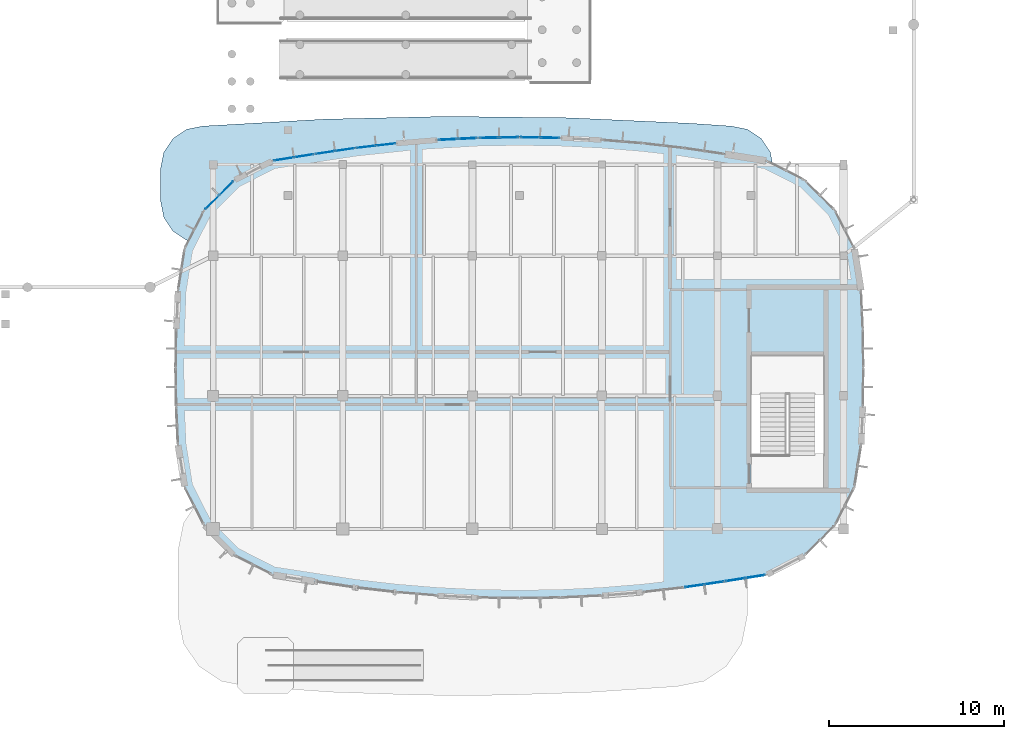
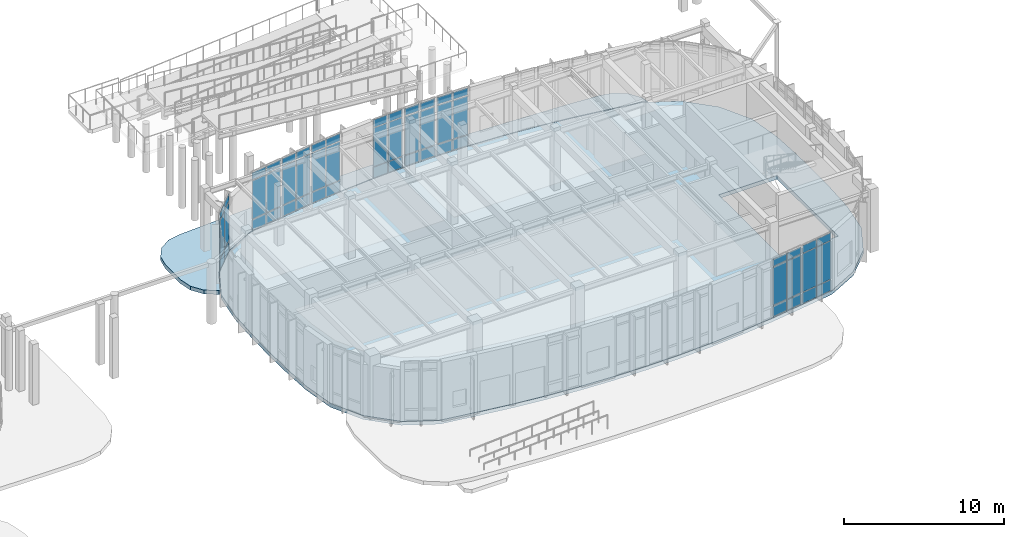
# One storey, part 71 of 120: 54 plates, 2 slabs, 9 elements without a shape of their own.
"""IFC4 building model written with IfcOpenShell, lengths in metres."""

from ifc_helpers import new_model, si_unit, direction, frame, origin, origin_2d, place, context, subcontext, project, spatial, polyline, rectangle, outline, extrude, material, layer, layer_set, type_object, element, aggregate, save


model = new_model("IFC4")

# Units and contexts
model_context = context("Model", 3, precision=1e-05, world=origin(), true_north=direction((0.0, 1.0)))
body_context = subcontext(model_context, "Body", "Model", "MODEL_VIEW")
ifc_project = project(units=[si_unit("LENGTHUNIT", "METRE"), si_unit("AREAUNIT", "SQUARE_METRE"), si_unit("VOLUMEUNIT", "CUBIC_METRE"), si_unit("PLANEANGLEUNIT", "RADIAN"), si_unit("MASSUNIT", "GRAM", prefix="KILO")], contexts=[model_context])

# Site, building, storey
site_placement = place(None, origin())
site = spatial("IfcSite", under=ifc_project, at=site_placement, CompositionType="ELEMENT")
building_placement = place(site_placement, origin())
building = spatial("IfcBuilding", under=site, at=building_placement, Name="Corveleigh Park Community Centre", CompositionType="ELEMENT")
storey_placement = place(building_placement, origin())
storey = spatial("IfcBuildingStorey", under=building, at=storey_placement, Name="L00", CompositionType="ELEMENT", Elevation=0.0)

# Curtain wall, plates
ifc_material_1 = material(Name="Anodised aluminium 6063-T6", Category="aluminium")
curtain_wall_type = type_object("IfcCurtainWallType", Name="CW-SYS-V3-L00", PredefinedType="NOTDEFINED", material=ifc_material_1)
curtain_wall_1_placement = place(storey_placement, origin())
curtain_wall_1 = element("IfcCurtainWall", 1, at=curtain_wall_1_placement, inside=storey, type_object=curtain_wall_type, Name="V3 L00 Curtain Wall 97", PredefinedType="NOTDEFINED")
ifc_material_2 = material(Name="Low-E double glazing", Category="glass")
ifc_layer_1 = layer(ifc_material_2, 0.02392578125, Name="Low-E double glazing", Category="glass")
ifc_layer_set_1 = layer_set([ifc_layer_1], Name="Low-E double glazing")
plate_type_1 = type_object("IfcPlateType", Name="CWP-GLZ-24", PredefinedType="CURTAIN_PANEL", material=ifc_layer_set_1)
plate_1_placement = place(storey_placement, frame((80.728271484375, 33.014404296875, 0.06494140625), z_axis=(0.0, 0.0, 1.0), x_axis=(0.993425824915, 0.114477641449, 0.0)))
plate_1 = element("IfcPlate", 2, at=plate_1_placement, type_object=plate_type_1, Name="CW05 panel 1.1", PredefinedType="CURTAIN_PANEL", context=body_context, shape_type="SweptSolid", body=[
    extrude(rectangle(XDim=1.076171875, YDim=0.02392578125, at=origin_2d()), origin(), (0.0, 0.0, 1.0), 0.802490234375),
])
plate_2_placement = place(storey_placement, frame((80.728271484375, 33.014404296875, 0.9326171875), z_axis=(0.0, 0.0, 1.0), x_axis=(0.993425824915, 0.114477641449, 0.0)))
plate_2 = element("IfcPlate", 3, at=plate_2_placement, type_object=plate_type_1, Name="CW05 panel 1.2", PredefinedType="CURTAIN_PANEL", context=body_context, shape_type="SweptSolid", body=[
    extrude(rectangle(XDim=1.076171875, YDim=0.02392578125, at=origin_2d()), origin(), (0.0, 0.0, 1.0), 2.922119140625),
])
plate_3_placement = place(storey_placement, frame((80.728271484375, 33.014404296875, 3.91943359375), z_axis=(0.0, 0.0, 1.0), x_axis=(0.993425824915, 0.114477641449, 0.0)))
plate_3 = element("IfcPlate", 4, at=plate_3_placement, type_object=plate_type_1, Name="CW05 panel 1.3", PredefinedType="CURTAIN_PANEL", context=body_context, shape_type="SweptSolid", body=[
    extrude(rectangle(XDim=1.076171875, YDim=0.02392578125, at=origin_2d()), origin(), (0.0, 0.0, 1.0), 0.552490234375),
])
plate_4_placement = place(storey_placement, frame((81.85693359375, 33.14453125, 0.06494140625), z_axis=(0.0, 0.0, 1.0), x_axis=(0.993425824915, 0.114477641449, 0.0)))
plate_4 = element("IfcPlate", 5, at=plate_4_placement, type_object=plate_type_1, Name="CW05 panel 2.1", PredefinedType="CURTAIN_PANEL", context=body_context, shape_type="SweptSolid", body=[
    extrude(rectangle(XDim=1.076171875, YDim=0.02392578125, at=origin_2d()), origin(), (0.0, 0.0, 1.0), 0.802490234375),
])
plate_5_placement = place(storey_placement, frame((81.85693359375, 33.14453125, 0.9326171875), z_axis=(0.0, 0.0, 1.0), x_axis=(0.993425824915, 0.114477641449, 0.0)))
plate_5 = element("IfcPlate", 6, at=plate_5_placement, type_object=plate_type_1, Name="CW05 panel 2.2", PredefinedType="CURTAIN_PANEL", context=body_context, shape_type="SweptSolid", body=[
    extrude(rectangle(XDim=1.076171875, YDim=0.02392578125, at=origin_2d()), origin(), (0.0, 0.0, 1.0), 2.922119140625),
])
plate_6_placement = place(storey_placement, frame((81.85693359375, 33.14453125, 3.91943359375), z_axis=(0.0, 0.0, 1.0), x_axis=(0.993425824915, 0.114477641449, 0.0)))
plate_6 = element("IfcPlate", 7, at=plate_6_placement, type_object=plate_type_1, Name="CW05 panel 2.3", PredefinedType="CURTAIN_PANEL", context=body_context, shape_type="SweptSolid", body=[
    extrude(rectangle(XDim=1.076171875, YDim=0.02392578125, at=origin_2d()), origin(), (0.0, 0.0, 1.0), 0.552490234375),
])
aggregate(curtain_wall_1, [plate_1, plate_2, plate_3, plate_4, plate_5, plate_6])

curtain_wall_2_placement = place(storey_placement, origin())
curtain_wall_2 = element("IfcCurtainWall", 8, at=curtain_wall_2_placement, inside=storey, type_object=curtain_wall_type, Name="V3 L00 Curtain Wall 98", PredefinedType="NOTDEFINED")
plate_7_placement = place(storey_placement, frame((78.400390625, 32.689208984375, 0.070068359375), z_axis=(0.0, 0.0, 1.0), x_axis=(0.989145884579, 0.146936785797, 0.0)))
plate_7 = element("IfcPlate", 9, at=plate_7_placement, type_object=plate_type_1, Name="CW05 panel 1.1", PredefinedType="CURTAIN_PANEL", context=body_context, shape_type="SweptSolid", body=[
    extrude(rectangle(XDim=1.069580078125, YDim=0.02392578125, at=origin_2d()), origin(), (0.0, 0.0, 1.0), 0.794921875),
])
plate_8_placement = place(storey_placement, frame((78.400390625, 32.689208984375, 0.93505859375), z_axis=(0.0, 0.0, 1.0), x_axis=(0.989145884579, 0.146936785797, 0.0)))
plate_8 = element("IfcPlate", 10, at=plate_8_placement, type_object=plate_type_1, Name="CW05 panel 1.2", PredefinedType="CURTAIN_PANEL", context=body_context, shape_type="SweptSolid", body=[
    extrude(rectangle(XDim=1.069580078125, YDim=0.02392578125, at=origin_2d()), origin(), (0.0, 0.0, 1.0), 2.9169921875),
])
plate_9_placement = place(storey_placement, frame((78.400390625, 32.689208984375, 3.922119140625), z_axis=(0.0, 0.0, 1.0), x_axis=(0.989145884579, 0.146936785797, 0.0)))
plate_9 = element("IfcPlate", 11, at=plate_9_placement, type_object=plate_type_1, Name="CW05 panel 1.3", PredefinedType="CURTAIN_PANEL", context=body_context, shape_type="SweptSolid", body=[
    extrude(rectangle(XDim=1.069580078125, YDim=0.02392578125, at=origin_2d()), origin(), (0.0, 0.0, 1.0), 0.544921875),
])
plate_10_placement = place(storey_placement, frame((79.522705078125, 32.85595703125, 0.070068359375), z_axis=(0.0, 0.0, 1.0), x_axis=(0.989145884579, 0.146936785797, 0.0)))
plate_10 = element("IfcPlate", 12, at=plate_10_placement, type_object=plate_type_1, Name="CW05 panel 2.1", PredefinedType="CURTAIN_PANEL", context=body_context, shape_type="SweptSolid", body=[
    extrude(rectangle(XDim=1.069580078125, YDim=0.02392578125, at=origin_2d()), origin(), (0.0, 0.0, 1.0), 0.794921875),
])
plate_11_placement = place(storey_placement, frame((79.522705078125, 32.85595703125, 0.93505859375), z_axis=(0.0, 0.0, 1.0), x_axis=(0.989145884579, 0.146936785797, 0.0)))
plate_11 = element("IfcPlate", 13, at=plate_11_placement, type_object=plate_type_1, Name="CW05 panel 2.2", PredefinedType="CURTAIN_PANEL", context=body_context, shape_type="SweptSolid", body=[
    extrude(rectangle(XDim=1.069580078125, YDim=0.02392578125, at=origin_2d()), origin(), (0.0, 0.0, 1.0), 2.9169921875),
])
plate_12_placement = place(storey_placement, frame((79.522705078125, 32.85595703125, 3.922119140625), z_axis=(0.0, 0.0, 1.0), x_axis=(0.989145884579, 0.146936785797, 0.0)))
plate_12 = element("IfcPlate", 14, at=plate_12_placement, type_object=plate_type_1, Name="CW05 panel 2.3", PredefinedType="CURTAIN_PANEL", context=body_context, shape_type="SweptSolid", body=[
    extrude(rectangle(XDim=1.069580078125, YDim=0.02392578125, at=origin_2d()), origin(), (0.0, 0.0, 1.0), 0.544921875),
])
aggregate(curtain_wall_2, [plate_7, plate_8, plate_9, plate_10, plate_11, plate_12])

curtain_wall_3_placement = place(storey_placement, origin())
curtain_wall_3 = element("IfcCurtainWall", 15, at=curtain_wall_3_placement, inside=storey, type_object=curtain_wall_type, Name="V3 L00 Curtain Wall 99", PredefinedType="NOTDEFINED")
ifc_layer_2 = layer(ifc_material_2, 0.028076171875, Name="Low-E double glazing", Category="glass")
ifc_layer_set_2 = layer_set([ifc_layer_2], Name="Low-E double glazing")
plate_type_2 = type_object("IfcPlateType", Name="CWP-GLZ-28", PredefinedType="CURTAIN_PANEL", material=ifc_layer_set_2)
plate_13_placement = place(storey_placement, frame((76.03662109375, 32.320556640625, 0.074951171875), z_axis=(0.0, 0.0, 1.0), x_axis=(0.98766117361, 0.156605894344, 0.0)))
plate_13 = element("IfcPlate", 16, at=plate_13_placement, type_object=plate_type_2, Name="CW05 panel 1.1", PredefinedType="CURTAIN_PANEL", context=body_context, shape_type="SweptSolid", body=[
    extrude(rectangle(XDim=1.09228515625, YDim=0.028076171875, at=origin_2d()), origin(), (0.0, 0.0, 1.0), 0.78759765625),
])
plate_14_placement = place(storey_placement, frame((76.03662109375, 32.320556640625, 0.9375), z_axis=(0.0, 0.0, 1.0), x_axis=(0.98766117361, 0.156605894344, 0.0)))
plate_14 = element("IfcPlate", 17, at=plate_14_placement, type_object=plate_type_2, Name="CW05 panel 1.2", PredefinedType="CURTAIN_PANEL", context=body_context, shape_type="SweptSolid", body=[
    extrude(rectangle(XDim=1.09228515625, YDim=0.028076171875, at=origin_2d()), origin(), (0.0, 0.0, 1.0), 2.912109375),
])
plate_15_placement = place(storey_placement, frame((76.03662109375, 32.320556640625, 3.924560546875), z_axis=(0.0, 0.0, 1.0), x_axis=(0.98766117361, 0.156605894344, 0.0)))
plate_15 = element("IfcPlate", 18, at=plate_15_placement, type_object=plate_type_2, Name="CW05 panel 1.3", PredefinedType="CURTAIN_PANEL", context=body_context, shape_type="SweptSolid", body=[
    extrude(rectangle(XDim=1.09228515625, YDim=0.028076171875, at=origin_2d()), origin(), (0.0, 0.0, 1.0), 0.53759765625),
])
plate_16_placement = place(storey_placement, frame((77.1845703125, 32.50244140625, 0.074951171875), z_axis=(0.0, 0.0, 1.0), x_axis=(0.98766117361, 0.156605894344, 0.0)))
plate_16 = element("IfcPlate", 19, at=plate_16_placement, type_object=plate_type_2, Name="CW05 panel 2.1", PredefinedType="CURTAIN_PANEL", context=body_context, shape_type="SweptSolid", body=[
    extrude(rectangle(XDim=1.09228515625, YDim=0.028076171875, at=origin_2d()), origin(), (0.0, 0.0, 1.0), 0.78759765625),
])
plate_17_placement = place(storey_placement, frame((77.1845703125, 32.50244140625, 0.9375), z_axis=(0.0, 0.0, 1.0), x_axis=(0.98766117361, 0.156605894344, 0.0)))
plate_17 = element("IfcPlate", 20, at=plate_17_placement, type_object=plate_type_2, Name="CW05 panel 2.2", PredefinedType="CURTAIN_PANEL", context=body_context, shape_type="SweptSolid", body=[
    extrude(rectangle(XDim=1.09228515625, YDim=0.028076171875, at=origin_2d()), origin(), (0.0, 0.0, 1.0), 2.912109375),
])
plate_18_placement = place(storey_placement, frame((77.1845703125, 32.50244140625, 3.924560546875), z_axis=(0.0, 0.0, 1.0), x_axis=(0.98766117361, 0.156605894344, 0.0)))
plate_18 = element("IfcPlate", 21, at=plate_18_placement, type_object=plate_type_2, Name="CW05 panel 2.3", PredefinedType="CURTAIN_PANEL", context=body_context, shape_type="SweptSolid", body=[
    extrude(rectangle(XDim=1.09228515625, YDim=0.028076171875, at=origin_2d()), origin(), (0.0, 0.0, 1.0), 0.53759765625),
])
aggregate(curtain_wall_3, [plate_13, plate_14, plate_15, plate_16, plate_17, plate_18])

curtain_wall_4_placement = place(storey_placement, origin())
curtain_wall_4 = element("IfcCurtainWall", 22, at=curtain_wall_4_placement, inside=storey, type_object=curtain_wall_type, Name="V3 L00 Curtain Wall 100", PredefinedType="NOTDEFINED")
plate_19_placement = place(storey_placement, frame((71.947998046875, 29.843017578125, 0.080078125), z_axis=(0.0, 0.0, 1.0), x_axis=(0.707106781187, 0.707106781187, 0.0)))
plate_19 = element("IfcPlate", 23, at=plate_19_placement, type_object=plate_type_2, Name="CW05 panel 1.1", PredefinedType="CURTAIN_PANEL", context=body_context, shape_type="SweptSolid", body=[
    extrude(rectangle(XDim=1.069091796875, YDim=0.028076171875, at=origin_2d()), origin(), (0.0, 0.0, 1.0), 0.780029296875),
])
plate_20_placement = place(storey_placement, frame((71.947998046875, 29.843017578125, 0.93994140625), z_axis=(0.0, 0.0, 1.0), x_axis=(0.707106781187, 0.707106781187, 0.0)))
plate_20 = element("IfcPlate", 24, at=plate_20_placement, type_object=plate_type_2, Name="CW05 panel 1.2", PredefinedType="CURTAIN_PANEL", context=body_context, shape_type="SweptSolid", body=[
    extrude(rectangle(XDim=1.069091796875, YDim=0.028076171875, at=origin_2d()), origin(), (0.0, 0.0, 1.0), 2.906982421875),
])
plate_21_placement = place(storey_placement, frame((71.947998046875, 29.843017578125, 3.9267578125), z_axis=(0.0, 0.0, 1.0), x_axis=(0.707106781187, 0.707106781187, 0.0)))
plate_21 = element("IfcPlate", 25, at=plate_21_placement, type_object=plate_type_2, Name="CW05 panel 1.3", PredefinedType="CURTAIN_PANEL", context=body_context, shape_type="SweptSolid", body=[
    extrude(rectangle(XDim=1.069091796875, YDim=0.028076171875, at=origin_2d()), origin(), (0.0, 0.0, 1.0), 0.530029296875),
])
plate_22_placement = place(storey_placement, frame((72.757080078125, 30.652099609375, 0.080078125), z_axis=(0.0, 0.0, 1.0), x_axis=(0.707106781187, 0.707106781187, 0.0)))
plate_22 = element("IfcPlate", 26, at=plate_22_placement, type_object=plate_type_2, Name="CW05 panel 2.1", PredefinedType="CURTAIN_PANEL", context=body_context, shape_type="SweptSolid", body=[
    extrude(rectangle(XDim=1.069091796875, YDim=0.028076171875, at=origin_2d()), origin(), (0.0, 0.0, 1.0), 0.780029296875),
])
plate_23_placement = place(storey_placement, frame((72.757080078125, 30.652099609375, 0.93994140625), z_axis=(0.0, 0.0, 1.0), x_axis=(0.707106781187, 0.707106781187, 0.0)))
plate_23 = element("IfcPlate", 27, at=plate_23_placement, type_object=plate_type_2, Name="CW05 panel 2.2", PredefinedType="CURTAIN_PANEL", context=body_context, shape_type="SweptSolid", body=[
    extrude(rectangle(XDim=1.069091796875, YDim=0.028076171875, at=origin_2d()), origin(), (0.0, 0.0, 1.0), 2.906982421875),
])
plate_24_placement = place(storey_placement, frame((72.757080078125, 30.652099609375, 3.9267578125), z_axis=(0.0, 0.0, 1.0), x_axis=(0.707106781187, 0.707106781187, 0.0)))
plate_24 = element("IfcPlate", 28, at=plate_24_placement, type_object=plate_type_2, Name="CW05 panel 2.3", PredefinedType="CURTAIN_PANEL", context=body_context, shape_type="SweptSolid", body=[
    extrude(rectangle(XDim=1.069091796875, YDim=0.028076171875, at=origin_2d()), origin(), (0.0, 0.0, 1.0), 0.530029296875),
])
aggregate(curtain_wall_4, [plate_19, plate_20, plate_21, plate_22, plate_23, plate_24])

curtain_wall_5_placement = place(storey_placement, origin())
curtain_wall_5 = element("IfcCurtainWall", 29, at=curtain_wall_5_placement, inside=storey, type_object=curtain_wall_type, Name="V3 L00 Curtain Wall 80", PredefinedType="NOTDEFINED")
ifc_layer_3 = layer(ifc_material_2, 0.035888671875, Name="Low-E double glazing", Category="glass")
ifc_layer_set_3 = layer_set([ifc_layer_3], Name="Low-E double glazing")
plate_type_3 = type_object("IfcPlateType", Name="CWP-GLZ-36", PredefinedType="CURTAIN_PANEL", material=ifc_layer_set_3)
plate_25_placement = place(storey_placement, frame((100.599609375, 8.11083984375, 0.080078125), z_axis=(0.0, 0.0, 1.0), x_axis=(-0.989145884579, -0.146936785797, 0.0)))
plate_25 = element("IfcPlate", 30, at=plate_25_placement, type_object=plate_type_3, Name="CW05 panel 1.1", PredefinedType="CURTAIN_PANEL", context=body_context, shape_type="SweptSolid", body=[
    extrude(rectangle(XDim=1.069580078125, YDim=0.035888671875, at=origin_2d()), origin(), (0.0, 0.0, 1.0), 0.780029296875),
])
plate_26_placement = place(storey_placement, frame((100.599609375, 8.11083984375, 0.93994140625), z_axis=(0.0, 0.0, 1.0), x_axis=(-0.989145884579, -0.146936785797, 0.0)))
plate_26 = element("IfcPlate", 31, at=plate_26_placement, type_object=plate_type_3, Name="CW05 panel 1.2", PredefinedType="CURTAIN_PANEL", context=body_context, shape_type="SweptSolid", body=[
    extrude(rectangle(XDim=1.069580078125, YDim=0.035888671875, at=origin_2d()), origin(), (0.0, 0.0, 1.0), 2.882080078125),
])
plate_27_placement = place(storey_placement, frame((100.599609375, 8.11083984375, 3.90185546875), z_axis=(0.0, 0.0, 1.0), x_axis=(-0.989145884579, -0.146936785797, 0.0)))
plate_27 = element("IfcPlate", 32, at=plate_27_placement, type_object=plate_type_3, Name="CW05 panel 1.3", PredefinedType="CURTAIN_PANEL", context=body_context, shape_type="SweptSolid", body=[
    extrude(rectangle(XDim=1.069580078125, YDim=0.035888671875, at=origin_2d()), origin(), (0.0, 0.0, 1.0), 0.530029296875),
])
plate_28_placement = place(storey_placement, frame((99.477294921875, 7.944091796875, 0.080078125), z_axis=(0.0, 0.0, 1.0), x_axis=(-0.989145884579, -0.146936785797, 0.0)))
plate_28 = element("IfcPlate", 33, at=plate_28_placement, type_object=plate_type_3, Name="CW05 panel 2.1", PredefinedType="CURTAIN_PANEL", context=body_context, shape_type="SweptSolid", body=[
    extrude(rectangle(XDim=1.069580078125, YDim=0.035888671875, at=origin_2d()), origin(), (0.0, 0.0, 1.0), 0.780029296875),
])
plate_29_placement = place(storey_placement, frame((99.477294921875, 7.944091796875, 0.93994140625), z_axis=(0.0, 0.0, 1.0), x_axis=(-0.989145884579, -0.146936785797, 0.0)))
plate_29 = element("IfcPlate", 34, at=plate_29_placement, type_object=plate_type_3, Name="CW05 panel 2.2", PredefinedType="CURTAIN_PANEL", context=body_context, shape_type="SweptSolid", body=[
    extrude(rectangle(XDim=1.069580078125, YDim=0.035888671875, at=origin_2d()), origin(), (0.0, 0.0, 1.0), 2.882080078125),
])
plate_30_placement = place(storey_placement, frame((99.477294921875, 7.944091796875, 3.90185546875), z_axis=(0.0, 0.0, 1.0), x_axis=(-0.989145884579, -0.146936785797, 0.0)))
plate_30 = element("IfcPlate", 35, at=plate_30_placement, type_object=plate_type_3, Name="CW05 panel 2.3", PredefinedType="CURTAIN_PANEL", context=body_context, shape_type="SweptSolid", body=[
    extrude(rectangle(XDim=1.069580078125, YDim=0.035888671875, at=origin_2d()), origin(), (0.0, 0.0, 1.0), 0.530029296875),
])
aggregate(curtain_wall_5, [plate_25, plate_26, plate_27, plate_28, plate_29, plate_30])

curtain_wall_6_placement = place(storey_placement, origin())
curtain_wall_6 = element("IfcCurtainWall", 36, at=curtain_wall_6_placement, inside=storey, type_object=curtain_wall_type, Name="V3 L00 Curtain Wall 81", PredefinedType="NOTDEFINED")
ifc_layer_4 = layer(ifc_material_2, 0.0400390625, Name="Low-E double glazing", Category="glass")
ifc_layer_set_4 = layer_set([ifc_layer_4], Name="Low-E double glazing")
plate_type_4 = type_object("IfcPlateType", Name="CWP-GLZ-40", PredefinedType="CURTAIN_PANEL", material=ifc_layer_set_4)
plate_31_placement = place(storey_placement, frame((102.96337890625, 8.4794921875, 0.06005859375), z_axis=(0.0, 0.0, 1.0), x_axis=(-0.98766117361, -0.156605894344, 0.0)))
plate_31 = element("IfcPlate", 37, at=plate_31_placement, type_object=plate_type_4, Name="CW05 panel 1.1", PredefinedType="CURTAIN_PANEL", context=body_context, shape_type="SweptSolid", body=[
    extrude(rectangle(XDim=1.09228515625, YDim=0.0400390625, at=origin_2d()), origin(), (0.0, 0.0, 1.0), 0.81005859375),
])
plate_32_placement = place(storey_placement, frame((102.96337890625, 8.4794921875, 0.93017578125), z_axis=(0.0, 0.0, 1.0), x_axis=(-0.98766117361, -0.156605894344, 0.0)))
plate_32 = element("IfcPlate", 38, at=plate_32_placement, type_object=plate_type_4, Name="CW05 panel 1.2", PredefinedType="CURTAIN_PANEL", context=body_context, shape_type="SweptSolid", body=[
    extrude(rectangle(XDim=1.09228515625, YDim=0.0400390625, at=origin_2d()), origin(), (0.0, 0.0, 1.0), 2.902099609375),
])
plate_33_placement = place(storey_placement, frame((102.96337890625, 8.4794921875, 3.89208984375), z_axis=(0.0, 0.0, 1.0), x_axis=(-0.98766117361, -0.156605894344, 0.0)))
plate_33 = element("IfcPlate", 39, at=plate_33_placement, type_object=plate_type_4, Name="CW05 panel 1.3", PredefinedType="CURTAIN_PANEL", context=body_context, shape_type="SweptSolid", body=[
    extrude(rectangle(XDim=1.09228515625, YDim=0.0400390625, at=origin_2d()), origin(), (0.0, 0.0, 1.0), 0.56005859375),
])
plate_34_placement = place(storey_placement, frame((101.8154296875, 8.297607421875, 0.06005859375), z_axis=(0.0, 0.0, 1.0), x_axis=(-0.98766117361, -0.156605894344, 0.0)))
plate_34 = element("IfcPlate", 40, at=plate_34_placement, type_object=plate_type_4, Name="CW05 panel 2.1", PredefinedType="CURTAIN_PANEL", context=body_context, shape_type="SweptSolid", body=[
    extrude(rectangle(XDim=1.09228515625, YDim=0.0400390625, at=origin_2d()), origin(), (0.0, 0.0, 1.0), 0.81005859375),
])
plate_35_placement = place(storey_placement, frame((101.8154296875, 8.297607421875, 0.93017578125), z_axis=(0.0, 0.0, 1.0), x_axis=(-0.98766117361, -0.156605894344, 0.0)))
plate_35 = element("IfcPlate", 41, at=plate_35_placement, type_object=plate_type_4, Name="CW05 panel 2.2", PredefinedType="CURTAIN_PANEL", context=body_context, shape_type="SweptSolid", body=[
    extrude(rectangle(XDim=1.09228515625, YDim=0.0400390625, at=origin_2d()), origin(), (0.0, 0.0, 1.0), 2.902099609375),
])
plate_36_placement = place(storey_placement, frame((101.8154296875, 8.297607421875, 3.89208984375), z_axis=(0.0, 0.0, 1.0), x_axis=(-0.98766117361, -0.156605894344, 0.0)))
plate_36 = element("IfcPlate", 42, at=plate_36_placement, type_object=plate_type_4, Name="CW05 panel 2.3", PredefinedType="CURTAIN_PANEL", context=body_context, shape_type="SweptSolid", body=[
    extrude(rectangle(XDim=1.09228515625, YDim=0.0400390625, at=origin_2d()), origin(), (0.0, 0.0, 1.0), 0.56005859375),
])
aggregate(curtain_wall_6, [plate_31, plate_32, plate_33, plate_34, plate_35, plate_36])

curtain_wall_7_placement = place(storey_placement, origin())
curtain_wall_7 = element("IfcCurtainWall", 43, at=curtain_wall_7_placement, inside=storey, type_object=curtain_wall_type, Name="V3 L00 Curtain Wall 94", PredefinedType="NOTDEFINED")
plate_37_placement = place(storey_placement, frame((90.11083984375, 33.55029296875, 0.074951171875), z_axis=(0.0, 0.0, 1.0), x_axis=(0.999867262502, -0.016292862768, 0.0)))
plate_37 = element("IfcPlate", 44, at=plate_37_placement, type_object=plate_type_4, Name="CW05 panel 1.1", PredefinedType="CURTAIN_PANEL", context=body_context, shape_type="SweptSolid", body=[
    extrude(rectangle(XDim=1.0537109375, YDim=0.0400390625, at=origin_2d()), origin(), (0.0, 0.0, 1.0), 0.78759765625),
])
plate_38_placement = place(storey_placement, frame((90.11083984375, 33.55029296875, 0.9375), z_axis=(0.0, 0.0, 1.0), x_axis=(0.999867262502, -0.016292862768, 0.0)))
plate_38 = element("IfcPlate", 45, at=plate_38_placement, type_object=plate_type_4, Name="CW05 panel 1.2", PredefinedType="CURTAIN_PANEL", context=body_context, shape_type="SweptSolid", body=[
    extrude(rectangle(XDim=1.0537109375, YDim=0.0400390625, at=origin_2d()), origin(), (0.0, 0.0, 1.0), 2.912109375),
])
plate_39_placement = place(storey_placement, frame((90.11083984375, 33.55029296875, 3.924560546875), z_axis=(0.0, 0.0, 1.0), x_axis=(0.999867262502, -0.016292862768, 0.0)))
plate_39 = element("IfcPlate", 46, at=plate_39_placement, type_object=plate_type_4, Name="CW05 panel 1.3", PredefinedType="CURTAIN_PANEL", context=body_context, shape_type="SweptSolid", body=[
    extrude(rectangle(XDim=1.0537109375, YDim=0.0400390625, at=origin_2d()), origin(), (0.0, 0.0, 1.0), 0.53759765625),
])
plate_40_placement = place(storey_placement, frame((91.2392578125, 33.53173828125, 0.074951171875), z_axis=(0.0, 0.0, 1.0), x_axis=(0.999867262502, -0.016292862768, 0.0)))
plate_40 = element("IfcPlate", 47, at=plate_40_placement, type_object=plate_type_4, Name="CW05 panel 2.1", PredefinedType="CURTAIN_PANEL", context=body_context, shape_type="SweptSolid", body=[
    extrude(rectangle(XDim=1.0537109375, YDim=0.0400390625, at=origin_2d()), origin(), (0.0, 0.0, 1.0), 0.78759765625),
])
plate_41_placement = place(storey_placement, frame((91.2392578125, 33.53173828125, 0.9375), z_axis=(0.0, 0.0, 1.0), x_axis=(0.999867262502, -0.016292862768, 0.0)))
plate_41 = element("IfcPlate", 48, at=plate_41_placement, type_object=plate_type_4, Name="CW05 panel 2.2", PredefinedType="CURTAIN_PANEL", context=body_context, shape_type="SweptSolid", body=[
    extrude(rectangle(XDim=1.0537109375, YDim=0.0400390625, at=origin_2d()), origin(), (0.0, 0.0, 1.0), 2.912109375),
])
plate_42_placement = place(storey_placement, frame((91.2392578125, 33.53173828125, 3.924560546875), z_axis=(0.0, 0.0, 1.0), x_axis=(0.999867262502, -0.016292862768, 0.0)))
plate_42 = element("IfcPlate", 49, at=plate_42_placement, type_object=plate_type_4, Name="CW05 panel 2.3", PredefinedType="CURTAIN_PANEL", context=body_context, shape_type="SweptSolid", body=[
    extrude(rectangle(XDim=1.0537109375, YDim=0.0400390625, at=origin_2d()), origin(), (0.0, 0.0, 1.0), 0.53759765625),
])
aggregate(curtain_wall_7, [plate_37, plate_38, plate_39, plate_40, plate_41, plate_42])

curtain_wall_8_placement = place(storey_placement, origin())
curtain_wall_8 = element("IfcCurtainWall", 50, at=curtain_wall_8_placement, inside=storey, type_object=curtain_wall_type, Name="V3 L00 Curtain Wall 95", PredefinedType="NOTDEFINED")
ifc_layer_5 = layer(ifc_material_2, 0.0439453125, Name="Low-E double glazing", Category="glass")
ifc_layer_set_5 = layer_set([ifc_layer_5], Name="Low-E double glazing")
plate_type_5 = type_object("IfcPlateType", Name="CWP-GLZ-44", PredefinedType="CURTAIN_PANEL", material=ifc_layer_set_5)
plate_43_placement = place(storey_placement, frame((87.761962890625, 33.53173828125, 0.080078125), z_axis=(0.0, 0.0, 1.0), x_axis=(0.999867262502, 0.016292862768, 0.0)))
plate_43 = element("IfcPlate", 51, at=plate_43_placement, type_object=plate_type_5, Name="CW05 panel 1.1", PredefinedType="CURTAIN_PANEL", context=body_context, shape_type="SweptSolid", body=[
    extrude(rectangle(XDim=1.046142578125, YDim=0.0439453125, at=origin_2d()), origin(), (0.0, 0.0, 1.0), 0.780029296875),
])
plate_44_placement = place(storey_placement, frame((87.761962890625, 33.53173828125, 0.93994140625), z_axis=(0.0, 0.0, 1.0), x_axis=(0.999867262502, 0.016292862768, 0.0)))
plate_44 = element("IfcPlate", 52, at=plate_44_placement, type_object=plate_type_5, Name="CW05 panel 1.2", PredefinedType="CURTAIN_PANEL", context=body_context, shape_type="SweptSolid", body=[
    extrude(rectangle(XDim=1.046142578125, YDim=0.0439453125, at=origin_2d()), origin(), (0.0, 0.0, 1.0), 2.906982421875),
])
plate_45_placement = place(storey_placement, frame((87.761962890625, 33.53173828125, 3.9267578125), z_axis=(0.0, 0.0, 1.0), x_axis=(0.999867262502, 0.016292862768, 0.0)))
plate_45 = element("IfcPlate", 53, at=plate_45_placement, type_object=plate_type_5, Name="CW05 panel 1.3", PredefinedType="CURTAIN_PANEL", context=body_context, shape_type="SweptSolid", body=[
    extrude(rectangle(XDim=1.046142578125, YDim=0.0439453125, at=origin_2d()), origin(), (0.0, 0.0, 1.0), 0.530029296875),
])
plate_46_placement = place(storey_placement, frame((88.887939453125, 33.55029296875, 0.080078125), z_axis=(0.0, 0.0, 1.0), x_axis=(0.999867262502, 0.016292862768, 0.0)))
plate_46 = element("IfcPlate", 54, at=plate_46_placement, type_object=plate_type_5, Name="CW05 panel 2.1", PredefinedType="CURTAIN_PANEL", context=body_context, shape_type="SweptSolid", body=[
    extrude(rectangle(XDim=1.046142578125, YDim=0.0439453125, at=origin_2d()), origin(), (0.0, 0.0, 1.0), 0.780029296875),
])
plate_47_placement = place(storey_placement, frame((88.887939453125, 33.55029296875, 0.93994140625), z_axis=(0.0, 0.0, 1.0), x_axis=(0.999867262502, 0.016292862768, 0.0)))
plate_47 = element("IfcPlate", 55, at=plate_47_placement, type_object=plate_type_5, Name="CW05 panel 2.2", PredefinedType="CURTAIN_PANEL", context=body_context, shape_type="SweptSolid", body=[
    extrude(rectangle(XDim=1.046142578125, YDim=0.0439453125, at=origin_2d()), origin(), (0.0, 0.0, 1.0), 2.906982421875),
])
plate_48_placement = place(storey_placement, frame((88.887939453125, 33.55029296875, 3.9267578125), z_axis=(0.0, 0.0, 1.0), x_axis=(0.999867262502, 0.016292862768, 0.0)))
plate_48 = element("IfcPlate", 56, at=plate_48_placement, type_object=plate_type_5, Name="CW05 panel 2.3", PredefinedType="CURTAIN_PANEL", context=body_context, shape_type="SweptSolid", body=[
    extrude(rectangle(XDim=1.046142578125, YDim=0.0439453125, at=origin_2d()), origin(), (0.0, 0.0, 1.0), 0.530029296875),
])
aggregate(curtain_wall_8, [plate_43, plate_44, plate_45, plate_46, plate_47, plate_48])

curtain_wall_9_placement = place(storey_placement, origin())
curtain_wall_9 = element("IfcCurtainWall", 57, at=curtain_wall_9_placement, inside=storey, type_object=curtain_wall_type, Name="V3 L00 Curtain Wall 96", PredefinedType="NOTDEFINED")
plate_49_placement = place(storey_placement, frame((85.414794921875, 33.43603515625, 0.06005859375), z_axis=(0.0, 0.0, 1.0), x_axis=(0.998763005613, 0.049723823459, 0.0)))
plate_49 = element("IfcPlate", 58, at=plate_49_placement, type_object=plate_type_5, Name="CW05 panel 1.1", PredefinedType="CURTAIN_PANEL", context=body_context, shape_type="SweptSolid", body=[
    extrude(rectangle(XDim=1.0390625, YDim=0.0439453125, at=origin_2d()), origin(), (0.0, 0.0, 1.0), 0.81005859375),
])
plate_50_placement = place(storey_placement, frame((85.414794921875, 33.43603515625, 0.93017578125), z_axis=(0.0, 0.0, 1.0), x_axis=(0.998763005613, 0.049723823459, 0.0)))
plate_50 = element("IfcPlate", 59, at=plate_50_placement, type_object=plate_type_5, Name="CW05 panel 1.2", PredefinedType="CURTAIN_PANEL", context=body_context, shape_type="SweptSolid", body=[
    extrude(rectangle(XDim=1.0390625, YDim=0.0439453125, at=origin_2d()), origin(), (0.0, 0.0, 1.0), 2.927001953125),
])
plate_51_placement = place(storey_placement, frame((85.414794921875, 33.43603515625, 3.9169921875), z_axis=(0.0, 0.0, 1.0), x_axis=(0.998763005613, 0.049723823459, 0.0)))
plate_51 = element("IfcPlate", 60, at=plate_51_placement, type_object=plate_type_5, Name="CW05 panel 1.3", PredefinedType="CURTAIN_PANEL", context=body_context, shape_type="SweptSolid", body=[
    extrude(rectangle(XDim=1.0390625, YDim=0.0439453125, at=origin_2d()), origin(), (0.0, 0.0, 1.0), 0.56005859375),
])
plate_52_placement = place(storey_placement, frame((86.537353515625, 33.491943359375, 0.06005859375), z_axis=(0.0, 0.0, 1.0), x_axis=(0.998763005613, 0.049723823459, 0.0)))
plate_52 = element("IfcPlate", 61, at=plate_52_placement, type_object=plate_type_5, Name="CW05 panel 2.1", PredefinedType="CURTAIN_PANEL", context=body_context, shape_type="SweptSolid", body=[
    extrude(rectangle(XDim=1.0390625, YDim=0.0439453125, at=origin_2d()), origin(), (0.0, 0.0, 1.0), 0.81005859375),
])
plate_53_placement = place(storey_placement, frame((86.537353515625, 33.491943359375, 0.93017578125), z_axis=(0.0, 0.0, 1.0), x_axis=(0.998763005613, 0.049723823459, 0.0)))
plate_53 = element("IfcPlate", 62, at=plate_53_placement, type_object=plate_type_5, Name="CW05 panel 2.2", PredefinedType="CURTAIN_PANEL", context=body_context, shape_type="SweptSolid", body=[
    extrude(rectangle(XDim=1.0390625, YDim=0.0439453125, at=origin_2d()), origin(), (0.0, 0.0, 1.0), 2.927001953125),
])
plate_54_placement = place(storey_placement, frame((86.537353515625, 33.491943359375, 3.9169921875), z_axis=(0.0, 0.0, 1.0), x_axis=(0.998763005613, 0.049723823459, 0.0)))
plate_54 = element("IfcPlate", 63, at=plate_54_placement, type_object=plate_type_5, Name="CW05 panel 2.3", PredefinedType="CURTAIN_PANEL", context=body_context, shape_type="SweptSolid", body=[
    extrude(rectangle(XDim=1.0390625, YDim=0.0439453125, at=origin_2d()), origin(), (0.0, 0.0, 1.0), 0.56005859375),
])
aggregate(curtain_wall_9, [plate_49, plate_50, plate_51, plate_52, plate_53, plate_54])

# Slabs
ifc_material_3 = material(Name="Concrete C32/40", Category="concrete")
ifc_layer_6 = layer(ifc_material_3, 0.2900390625, Name="Concrete C32/40", Category="concrete")
ifc_layer_set_6 = layer_set([ifc_layer_6], Name="Concrete C32/40")
slab_type_1 = type_object("IfcSlabType", Name="SLB-APR-290", PredefinedType="FLOOR", material=ifc_layer_set_6)
slab_1_placement = place(storey_placement, frame((0.0, 0.0, -0.2900390625)))
element("IfcSlab", 64, at=slab_1_placement, inside=storey, type_object=slab_type_1, Name="Cafe Courtyard and Promenade Terrace", PredefinedType="FLOOR", context=body_context, shape_type="SweptSolid", body=[
    extrude(outline(polyline([(70.489013671875, 27.68408203125), (69.7060546875, 28.2060546875), (69.18408203125, 28.989013671875), (69.0, 29.912109375), (69.0, 31.7880859375), (69.18408203125, 32.7109375), (69.7060546875, 33.493896484375), (70.489013671875, 34.01611328125), (71.412109375, 34.199951171875), (78.3701171875, 34.596923828125), (85.337890625, 34.756103515625), (92.30810546875, 34.676025390625), (99.27001953125, 34.35888671875), (101.587890625, 34.199951171875), (102.510986328125, 34.01611328125), (103.2939453125, 33.493896484375), (103.81591796875, 32.7109375), (103.93994140625, 32.089111328125), (103.614990234375, 32.2529296875), (98.87890625, 32.97998046875), (96.54296875, 33.2490234375), (94.199951171875, 33.44091796875), (91.85107421875, 33.556884765625), (89.5, 33.594970703125), (87.14794921875, 33.556884765625), (84.800048828125, 33.44091796875), (82.45703125, 33.2490234375), (80.12109375, 32.97998046875), (75.382080078125, 32.251953125), (73.197998046875, 31.14111328125), (71.4619140625, 29.406005859375), (70.574951171875, 27.6669921875), (70.489013671875, 27.68408203125)])), origin(), (0.0, 0.0, 1.0), 0.2900390625),
])
ifc_layer_7 = layer(ifc_material_3, 0.294921875, Name="Concrete C32/40", Category="concrete")
ifc_layer_set_7 = layer_set([ifc_layer_7], Name="Concrete C32/40")
slab_type_2 = type_object("IfcSlabType", Name="SLB-GND-295", PredefinedType="FLOOR", material=ifc_layer_set_7)
slab_2_placement = place(storey_placement, frame((0.0, 0.0, -0.294921875)))
element("IfcSlab", 65, at=slab_2_placement, inside=storey, type_object=slab_type_2, Name="V3 L00 floor slab", PredefinedType="FLOOR", context=body_context, shape_type="SweptSolid", body=[
    extrude(outline(polyline([(73.215087890625, 9.68994140625), (71.489990234375, 11.4150390625), (70.382080078125, 13.590087890625), (70.0, 16.0), (69.89892578125, 18.198974609375), (69.865966796875, 20.39990234375), (69.89892578125, 22.60107421875), (70.0, 24.800048828125), (70.382080078125, 27.2099609375), (71.489990234375, 29.385009765625), (73.215087890625, 31.110107421875), (75.389892578125, 32.218017578125), (80.125, 32.945068359375), (82.4599609375, 33.214111328125), (84.802001953125, 33.406005859375), (87.14990234375, 33.52197265625), (89.5, 33.56005859375), (91.85009765625, 33.52197265625), (94.197998046875, 33.406005859375), (96.5400390625, 33.214111328125), (98.875, 32.945068359375), (103.610107421875, 32.218017578125), (105.784912109375, 31.110107421875), (107.510009765625, 29.385009765625), (108.617919921875, 27.2099609375), (109.0, 24.800048828125), (109.10107421875, 22.60107421875), (109.134033203125, 20.39990234375), (109.10107421875, 18.198974609375), (109.0, 16.0), (108.617919921875, 13.590087890625), (107.510009765625, 11.4150390625), (105.784912109375, 9.68994140625), (103.610107421875, 8.58203125), (101.199951171875, 8.199951171875), (98.875, 7.85498046875), (96.5400390625, 7.5859375), (94.197998046875, 7.39404296875), (91.85009765625, 7.278076171875), (89.5, 7.239990234375), (87.14990234375, 7.278076171875), (84.802001953125, 7.39404296875), (82.4599609375, 7.5859375), (80.125, 7.85498046875), (77.800048828125, 8.199951171875), (75.389892578125, 8.58203125), (73.215087890625, 9.68994140625)]), holes=[polyline([(102.696044921875, 13.49609375), (106.904052734375, 13.49609375), (106.904052734375, 21.12890625), (102.696044921875, 21.12890625), (102.696044921875, 13.49609375)])]), origin(), (0.0, 0.0, 1.0), 0.294921875),
])

save(model, "model.ifc")
